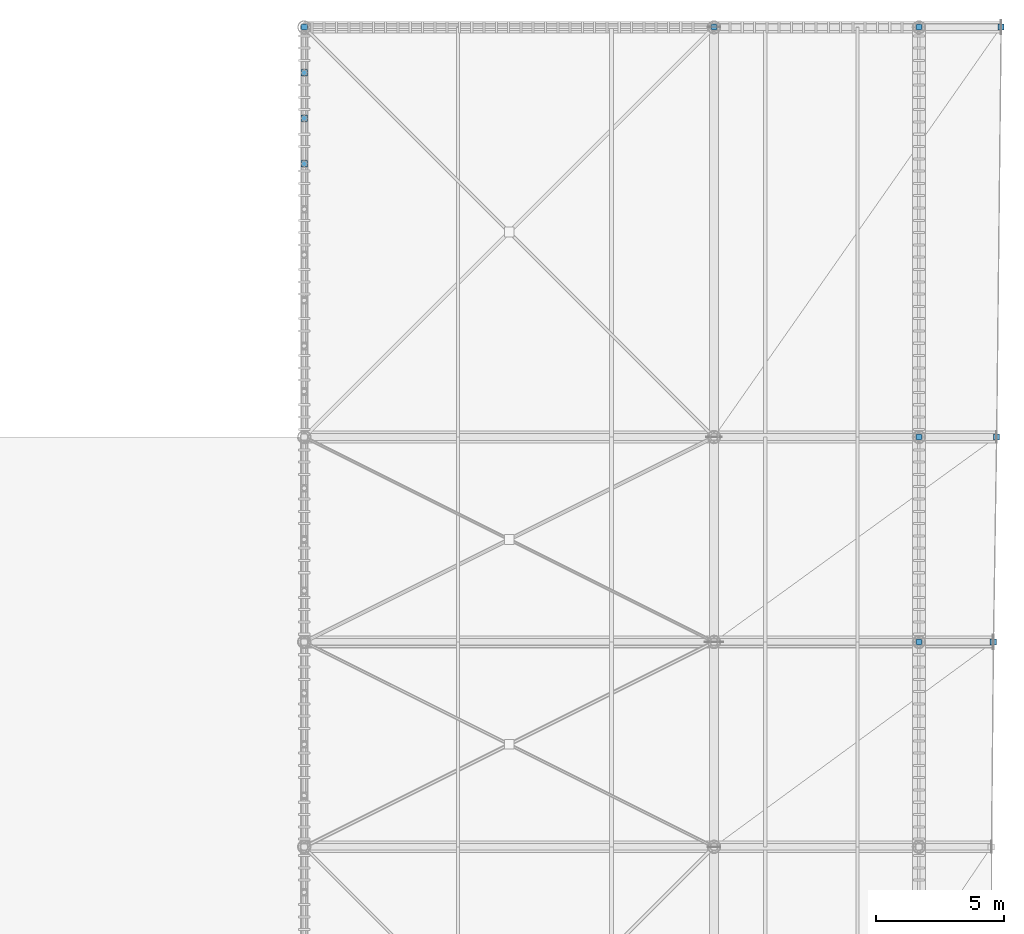
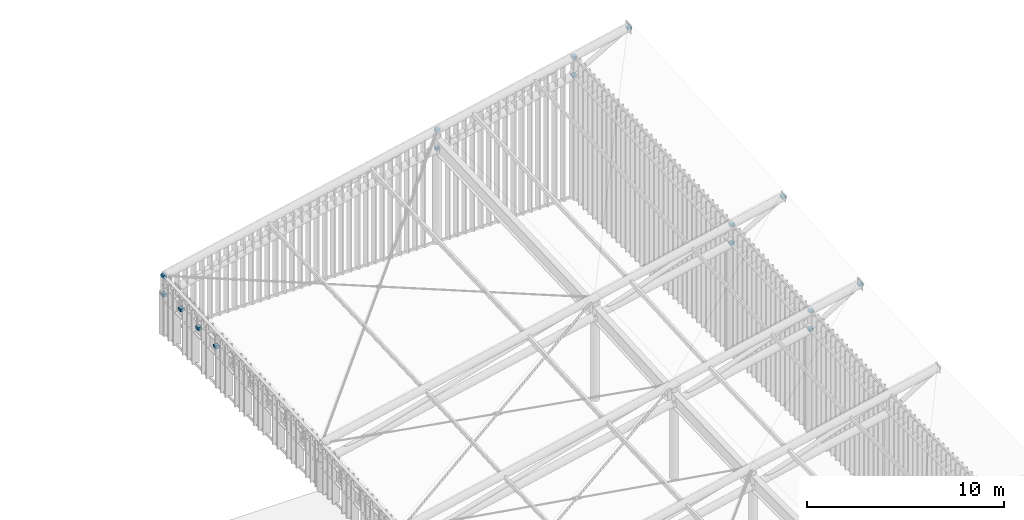
# One storey, part 24 of 25: 16 discrete accessories.
"""IFC4 building model written with IfcOpenShell, lengths in metres."""

from ifc_helpers import new_model, si_unit, direction, frame, origin, origin_2d, place, context, subcontext, project, spatial, rectangle, extrude, material, layer, layer_set, type_object, element, save


model = new_model("IFC4")

# Units and contexts
model_context = context("Model", 3, precision=1e-05, world=origin(), true_north=direction((0.0, 1.0)))
body_context = subcontext(model_context, "Body", "Model", "MODEL_VIEW")
ifc_project = project(units=[si_unit("LENGTHUNIT", "METRE"), si_unit("AREAUNIT", "SQUARE_METRE"), si_unit("VOLUMEUNIT", "CUBIC_METRE"), si_unit("PLANEANGLEUNIT", "RADIAN"), si_unit("MASSUNIT", "GRAM", prefix="KILO")], contexts=[model_context])

# Site, building, storey
site_placement = place(None, origin())
site = spatial("IfcSite", under=ifc_project, at=site_placement, CompositionType="ELEMENT")
building_placement = place(site_placement, origin())
building = spatial("IfcBuilding", under=site, at=building_placement, Name="Haebicheon Civic Stadium", CompositionType="ELEMENT")
storey_placement = place(building_placement, frame((0.0, 0.0, 31.199951171875)))
storey = spatial("IfcBuildingStorey", under=building, at=storey_placement, Name="RF", CompositionType="ELEMENT", Elevation=31.199951171875)

# Discrete accessories
ifc_material = material(Name="White painted steel SM490", Category="steel")
ifc_layer = layer(ifc_material, 0.179931640625, Name="White painted steel SM490")
ifc_layer_set = layer_set([ifc_layer], Name="White painted steel SM490")
discrete_accessory_type = type_object("IfcDiscreteAccessoryType", Name="BRK-END-PLT", PredefinedType="BRACKET", material=ifc_layer_set)
for number, where, z_axis, x_axis, name in (
    (1, (72.0, 112.0, 6.2861328125), (0.0, 0.0, 1.0), (1.0, 0.0, 0.0), "CAN-WEST truss 7 node bolted end connection plate"),
    (2, (72.0, 112.0, 7.43603515625), (0.0, 0.0, 1.0), (1.0, 0.0, 0.0), "CAN-WEST truss 7 node bolted end connection plate"),
    (3, (74.89990234375, 112.0, 8.05908203125), (0.0, 0.0, 1.0), (1.0, 0.0, 0.0), "CAN-WEST truss 7 node bolted end connection plate"),
    (4, (72.0, 120.0, 6.76708984375), (0.0, 0.0, 1.0), (1.0, 0.0, 0.0), "CAN-WEST truss 8 node bolted end connection plate"),
    (5, (72.0, 120.0, 7.9169921875), (0.0, 0.0, 1.0), (1.0, 0.0, 0.0), "CAN-WEST truss 8 node bolted end connection plate"),
    (6, (75.02490234375, 120.0, 8.56689453125), (0.0, 0.0, 1.0), (1.0, 0.0, 0.0), "CAN-WEST truss 8 node bolted end connection plate"),
    (7, (48.0, 136.0, 2.28125), (0.0, 0.0, 1.0), (1.0, 0.0, 0.0), "CAN-WEST truss 9 node bolted end connection plate"),
    (8, (48.0, 136.0, 3.43115234375), (0.0, 0.0, 1.0), (1.0, 0.0, 0.0), "CAN-WEST truss 9 node bolted end connection plate"),
    (9, (64.0, 136.0, 5.72119140625), (0.0, 0.0, 1.0), (1.0, 0.0, 0.0), "CAN-WEST truss 9 node bolted end connection plate"),
    (10, (64.0, 136.0, 6.87109375), (0.0, 0.0, 1.0), (1.0, 0.0, 0.0), "CAN-WEST truss 9 node bolted end connection plate"),
    (11, (72.0, 136.0, 7.44091796875), (0.0, 0.0, 1.0), (1.0, 0.0, 0.0), "CAN-WEST truss 9 node bolted end connection plate"),
    (12, (72.0, 136.0, 8.59130859375), (0.0, 0.0, 1.0), (1.0, 0.0, 0.0), "CAN-WEST truss 9 node bolted end connection plate"),
    (13, (75.199951171875, 136.0, 9.279296875), (0.0, 0.0, 1.0), (1.0, 0.0, 0.0), "CAN-WEST truss 9 node bolted end connection plate"),
    (14, (48.0, 130.6669921875, 2.30615234375), (0.0, 0.0, 1.0), (1.0, 0.0, 0.0), "CAN-WEST hanger base 8.6 bolted end connection plate"),
    (15, (48.0, 132.444091796875, 2.380859375), (0.0, 0.0, 1.0), (1.0, 0.0, 0.0), "CAN-WEST hanger base 8.7 bolted end connection plate"),
    (16, (48.0, 134.221923828125, 2.4560546875), (0.0, 0.0, 1.0), (1.0, 0.0, 0.0), "CAN-WEST hanger base 8.8 bolted end connection plate"),
):
    element("IfcDiscreteAccessory", number, at=place(storey_placement, frame(where, z_axis=z_axis, x_axis=x_axis)), inside=storey, type_object=discrete_accessory_type, material=ifc_layer_set, Name=name, PredefinedType="BRACKET", context=body_context, shape_type="SweptSolid", body=[
        extrude(rectangle(XDim=0.239990234375, YDim=0.239990234375, at=origin_2d()), origin(), (0.0, 0.0, 1.0), 0.179931640625),
    ])

save(model, "model.ifc")
